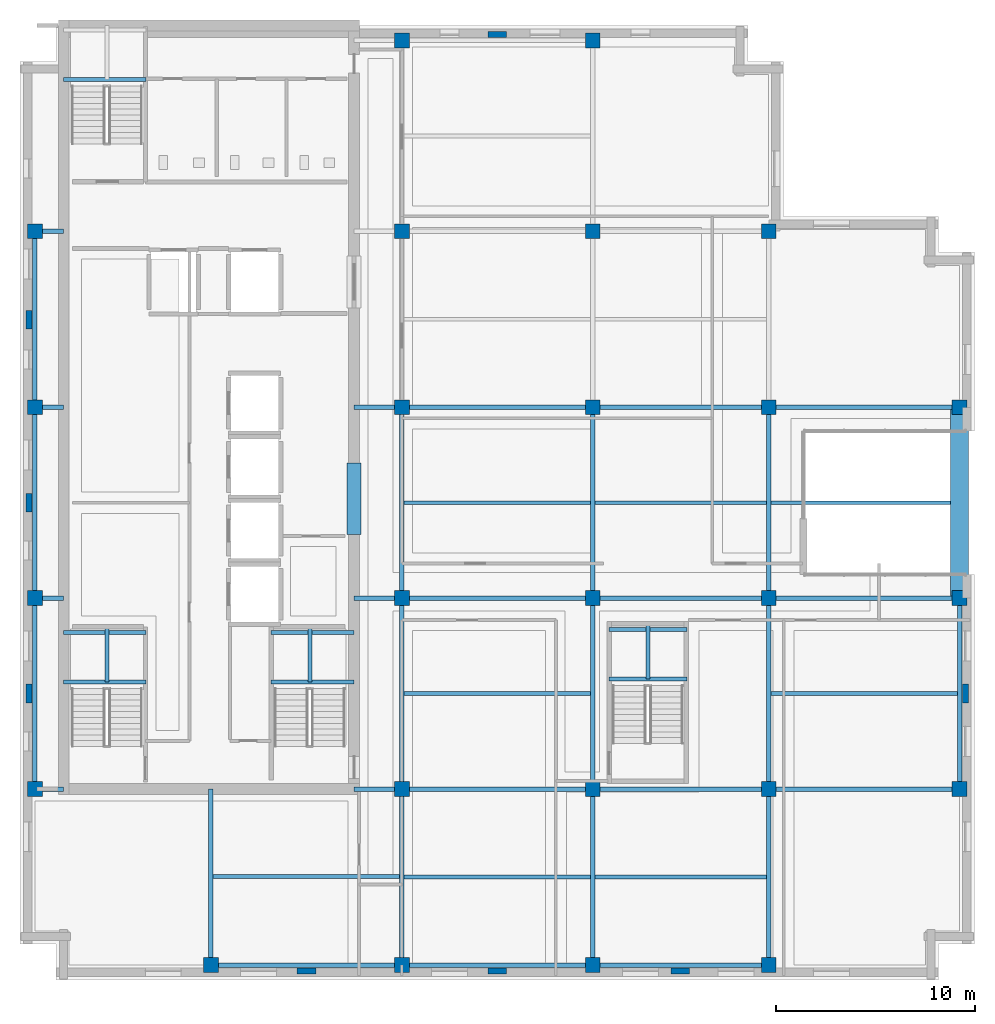
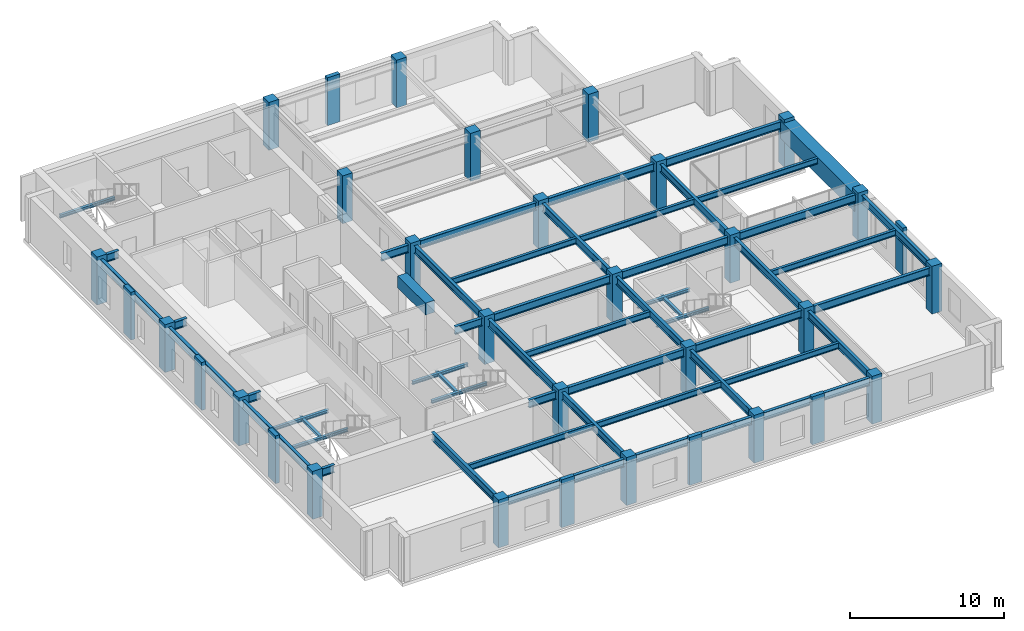
# One storey, part 1 of 11: 53 beams, 33 columns.
"""IFC4 building model written with IfcOpenShell, lengths in metres."""

import ifcopenshell
import ifcopenshell.guid

model = None  # the IFC model being written
_history = None  # IfcOwnerHistory: only IFC2X3 demands one
_inside = {}  # id of a spatial element -> (the spatial element, [elements in it])
_under = {}  # id of a project, library or spatial element -> (it, [spatial elements below it])
_declared = {}  # id of a project -> (the project, [libraries it declares])
_typed = {}  # id of a type object -> (the type object, [elements of that type])
_made_of = {}  # id of a material, layer set ... -> (it, [elements and type objects made of it])


def new_model(schema):
    """Start an empty IFC model of exactly this schema.

    Asked for "IFC4X3", IfcOpenShell would pick the latest addendum, in which some entities
    have other attributes; the version numbers below select the first issue.
    IFC2X3 requires an IfcOwnerHistory on every rooted entity: one is made here for all.
    """
    global model, _history
    if schema == "IFC4X3":
        model = ifcopenshell.file(schema_version=(4, 3, 0, 0))
    else:
        model = ifcopenshell.file(schema=schema)
    _inside.clear()
    _under.clear()
    _declared.clear()
    _typed.clear()
    _made_of.clear()
    _history = None
    if model.schema == "IFC2X3":
        org = make("IfcOrganization", Name="unknown")
        user = make(
            "IfcPersonAndOrganization",
            ThePerson=make("IfcPerson", FamilyName="unknown"),
            TheOrganization=org,
        )
        app = make(
            "IfcApplication",
            ApplicationDeveloper=org,
            Version="unknown",
            ApplicationFullName="unknown",
            ApplicationIdentifier="unknown",
        )
        _history = make(
            "IfcOwnerHistory",
            OwningUser=user,
            OwningApplication=app,
            ChangeAction="ADDED",
            CreationDate=0,
        )
    return model


def make(cls, **values):
    """One entity of the class cls with the attributes given. An attribute that is None is left unset."""
    return model.create_entity(
        cls, **{name: value for name, value in values.items() if value is not None}
    )


def rooted(cls, **values):
    """An entity with a GlobalId (a new one), such as an element, a storey or a relation."""
    return make(cls, GlobalId=ifcopenshell.guid.new(), OwnerHistory=_history, **values)


def si_unit(unit_type, name, prefix=None):
    """IfcSIUnit, for example si_unit("LENGTHUNIT", "METRE", prefix="MILLI")."""
    return make("IfcSIUnit", UnitType=unit_type, Prefix=prefix, Name=name)


def assignment(units):
    """IfcUnitAssignment: the units of a project."""
    return None if units is None else make("IfcUnitAssignment", Units=units)


def point(xyz):
    """IfcCartesianPoint."""
    return None if xyz is None else make("IfcCartesianPoint", Coordinates=xyz)


def direction(xyz):
    """IfcDirection."""
    return None if xyz is None else make("IfcDirection", DirectionRatios=xyz)


def frame(location, z_axis=None, x_axis=None):
    """IfcAxis2Placement3D, a coordinate frame: its origin and axes. An axis left out is left unset."""
    return make(
        "IfcAxis2Placement3D",
        Location=point(location),
        Axis=direction(z_axis),
        RefDirection=direction(x_axis),
    )


def frame_2d(location, x_axis=None):
    """IfcAxis2Placement2D, a coordinate frame in the plane: its origin and x axis."""
    return make(
        "IfcAxis2Placement2D", Location=point(location), RefDirection=direction(x_axis)
    )


def origin():
    """The frame at (0, 0, 0) with its axes left unset."""
    return frame((0.0, 0.0, 0.0))


def origin_2d():
    """The frame at (0, 0) in the plane with its x axis left unset."""
    return frame_2d((0.0, 0.0))


def place(relative_to, where):
    """IfcLocalPlacement: puts the frame where relative to a parent placement (None: the world)."""
    return make(
        "IfcLocalPlacement", PlacementRelTo=relative_to, RelativePlacement=where
    )


def context(
    kind, dimensions, precision=None, world=None, true_north=None, identifier=None
):
    """IfcGeometricRepresentationContext, for example the 3D "Model" context."""
    return make(
        "IfcGeometricRepresentationContext",
        ContextIdentifier=identifier,
        ContextType=kind,
        CoordinateSpaceDimension=dimensions,
        Precision=precision,
        WorldCoordinateSystem=world,
        TrueNorth=true_north,
    )


def subcontext(parent, identifier, kind, view, scale=None):
    """IfcGeometricRepresentationSubContext, for example "Body" below "Model"."""
    return make(
        "IfcGeometricRepresentationSubContext",
        ContextIdentifier=identifier,
        ContextType=kind,
        ParentContext=parent,
        TargetScale=scale,
        TargetView=view,
    )


def project(units=None, contexts=None):
    """IfcProject with its units and contexts."""
    return rooted(
        "IfcProject",
        Name="project",
        RepresentationContexts=contexts,
        UnitsInContext=assignment(units),
    )


def spatial(cls, under=None, at=None, **own):
    """A site, building, storey or space (cls), placed at a placement, below another one or the project."""
    s = rooted(cls, ObjectPlacement=at, **own)
    if under is not None:
        _under.setdefault(under.id(), (under, []))[1].append(s)
    return s


def profile(cls, at=None, kind="AREA", **sizes):
    """A parametric profile (cls). Its sizes go by their IFC names, for example OverallWidth=200.0."""
    return make(cls, ProfileType=kind, Position=at, **sizes)


def rectangle(**sizes):
    """IfcRectangleProfileDef."""
    return profile("IfcRectangleProfileDef", **sizes)


def i_section(**sizes):
    """IfcIShapeProfileDef."""
    return profile("IfcIShapeProfileDef", **sizes)


def extrude(swept, where, along, depth):
    """IfcExtrudedAreaSolid: the profile swept, set in the frame where, extruded along a direction by depth."""
    return make(
        "IfcExtrudedAreaSolid",
        SweptArea=swept,
        Position=where,
        ExtrudedDirection=direction(along),
        Depth=depth,
    )


def shape(context_of_items, identifier, shape_type, items):
    """IfcShapeRepresentation: the items that make up one representation, for example the "Body"."""
    return make(
        "IfcShapeRepresentation",
        ContextOfItems=context_of_items,
        RepresentationIdentifier=identifier,
        RepresentationType=shape_type,
        Items=items,
    )


def material(Name=None, Category=None):
    """IfcMaterial."""
    return make("IfcMaterial", Name=Name, Category=Category)


def material_profile(
    of_material, cross_section, Name=None, Category=None, Priority=None
):
    """IfcMaterialProfile: a cross section and its material."""
    return make(
        "IfcMaterialProfile",
        Name=Name,
        Material=of_material,
        Profile=cross_section,
        Priority=Priority,
        Category=Category,
    )


def profile_set(profiles, Name=None, composite=None):
    """IfcMaterialProfileSet."""
    return make(
        "IfcMaterialProfileSet",
        Name=Name,
        MaterialProfiles=profiles,
        CompositeProfile=composite,
    )


def made_of(thing, what):
    """Note that an element or type object is made of a material, layer set ...; save() writes the relation."""
    if what is not None:
        _made_of.setdefault(what.id(), (what, []))[1].append(thing)
    return thing


def type_object(cls, material=None, **own):
    """A type object (cls), such as IfcWallType, which elements share."""
    return made_of(rooted(cls, **own), material)


def element(
    cls,
    number,
    at=None,
    inside=None,
    cuts=None,
    type_object=None,
    material=None,
    context=None,
    identifier="Body",
    shape_type=None,
    held_by="IfcProductDefinitionShape",
    body=None,
    shapes=None,
    **own,
):
    """One element of the class cls, such as IfcWall. Its Tag is "e" and its number.

    at: its placement. inside: the storey or other place that contains it. cuts: it is an
    opening in that element (IfcRelVoidsElement). A single representation is given by context,
    identifier, shape_type and body (its items); several are given by shapes. held_by: the class
    of the entity that holds the representations. save() writes the other relations.
    """
    e = rooted(cls, Tag="e%d" % number, ObjectPlacement=at, **own)
    if body is not None:
        shapes = [shape(context, identifier, shape_type, body)]
    if shapes is not None:
        e.Representation = make(held_by, Representations=shapes)
    if inside is not None:
        _inside.setdefault(inside.id(), (inside, []))[1].append(e)
    if cuts is not None:
        rooted(
            "IfcRelVoidsElement", RelatingBuildingElement=cuts, RelatedOpeningElement=e
        )
    if type_object is not None:
        _typed.setdefault(type_object.id(), (type_object, []))[1].append(e)
    return made_of(e, material)


def aggregate(whole, parts):
    """IfcRelAggregates: a whole, such as a stair, and the parts it consists of."""
    return rooted("IfcRelAggregates", RelatingObject=whole, RelatedObjects=parts)


def save(model, path):
    """Write the relations noted so far, then the file.

    IfcRelAggregates (storeys below a building ...), IfcRelContainedInSpatialStructure (elements
    in a storey), IfcRelDefinesByType, IfcRelAssociatesMaterial and IfcRelDeclares: one each for
    every whole, place, type object, material and project.
    """
    for whole, parts in _under.values():
        aggregate(whole, parts)
    for where, things in _inside.values():
        rooted(
            "IfcRelContainedInSpatialStructure",
            RelatedElements=things,
            RelatingStructure=where,
        )
    for kind, things in _typed.values():
        rooted("IfcRelDefinesByType", RelatedObjects=things, RelatingType=kind)
    for what, things in _made_of.values():
        rooted("IfcRelAssociatesMaterial", RelatedObjects=things, RelatingMaterial=what)
    for by, libraries in _declared.values():
        rooted("IfcRelDeclares", RelatingContext=by, RelatedDefinitions=libraries)
    model.write(path)


model = new_model("IFC4")

# Units and contexts
model_context = context("Model", 3, precision=1e-05, world=origin(), true_north=direction((0.0, 1.0)))
body_context = subcontext(model_context, "Body", "Model", "MODEL_VIEW")
ifc_project = project(units=[si_unit("LENGTHUNIT", "METRE"), si_unit("AREAUNIT", "SQUARE_METRE"), si_unit("VOLUMEUNIT", "CUBIC_METRE"), si_unit("PLANEANGLEUNIT", "RADIAN"), si_unit("MASSUNIT", "GRAM", prefix="KILO")], contexts=[model_context])

# Site, building, storey
site_placement = place(None, origin())
site = spatial("IfcSite", under=ifc_project, at=site_placement, CompositionType="ELEMENT")
building_placement = place(site_placement, origin())
building = spatial("IfcBuilding", under=site, at=building_placement, Name="Norrvale University Quadrangle", CompositionType="ELEMENT")
storey_placement = place(building_placement, frame((0.0, 0.0, 281.0)))
storey = spatial("IfcBuildingStorey", under=building, at=storey_placement, Name="L71", CompositionType="ELEMENT", Elevation=281.0)

# Columns
ifc_material_1 = material(Name="Red Manganese Brick Concrete C60/75", Category="concrete")
ifc_material_profile_1 = material_profile(ifc_material_1, rectangle(XDim=0.949951171875, YDim=0.300048828125, at=origin_2d()), Name="Red Manganese Brick Concrete C60/75")
ifc_profile_set_1 = profile_set([ifc_material_profile_1], Name="Red Manganese Brick Concrete C60/75")
column_type_1 = type_object("IfcColumnType", Name="Column Brick Pier 950x300", PredefinedType="PILASTER", material=ifc_profile_set_1)
for number, where, z_axis, x_axis, name in (
    (1, (0.449951171875, 14.39990234375, 0.0), (0.0, 0.0, 1.0), (0.0, 1.0, 0.0), "Exterior Brick Facade Pilaster L71-01"),
    (2, (0.449951171875, 24.0, 0.0), (0.0, 0.0, 1.0), (0.0, 1.0, 0.0), "Exterior Brick Facade Pilaster L71-02"),
    (3, (0.449951171875, 33.199951171875, 0.0), (0.0, 0.0, 1.0), (0.0, 1.0, 0.0), "Exterior Brick Facade Pilaster L71-03"),
    (4, (14.39990234375, 0.449951171875, 0.0), (0.0, 0.0, 1.0), (1.0, 0.0, 0.0), "Exterior Brick Facade Pilaster L71-04"),
    (5, (24.0, 0.449951171875, 0.0), (0.0, 0.0, 1.0), (1.0, 0.0, 0.0), "Exterior Brick Facade Pilaster L71-05"),
    (6, (33.199951171875, 0.449951171875, 0.0), (0.0, 0.0, 1.0), (1.0, 0.0, 0.0), "Exterior Brick Facade Pilaster L71-06"),
    (7, (47.550048828125, 14.39990234375, 0.0), (0.0, 0.0, 1.0), (0.0, 1.0, 0.0), "Exterior Brick Facade Pilaster L71-07"),
    (8, (24.0, 47.550048828125, 0.0), (0.0, 0.0, 1.0), (1.0, 0.0, 0.0), "Exterior Brick Facade Pilaster L71-08"),
):
    element("IfcColumn", number, at=place(storey_placement, frame(where, z_axis=z_axis, x_axis=x_axis)), inside=storey, type_object=column_type_1, Name=name, PredefinedType="PILASTER", context=body_context, shape_type="SweptSolid", body=[
        extrude(rectangle(XDim=0.949951171875, YDim=0.300048828125, at=origin_2d()), origin(), (0.0, 0.0, 1.0), 3.800048828125),
    ])
ifc_material_2 = material(Name="Concrete C60/75", Category="concrete")
ifc_material_profile_2 = material_profile(ifc_material_2, rectangle(XDim=0.75, YDim=0.75, at=origin_2d()), Name="Concrete C60/75")
ifc_profile_set_2 = profile_set([ifc_material_profile_2], Name="Concrete C60/75")
column_type_2 = type_object("IfcColumnType", Name="Column Tower Z4 750x750", PredefinedType="COLUMN", material=ifc_profile_set_2)
for number, where, z_axis, x_axis, name in (
    (9, (0.75, 9.60009765625, 0.0), (0.0, 0.0, 1.0), (1.0, 0.0, 0.0), "Tower Column L71-T01"),
    (10, (0.75, 19.199951171875, 0.0), (0.0, 0.0, 1.0), (1.0, 0.0, 0.0), "Tower Column L71-T02"),
    (11, (0.75, 28.800048828125, 0.0), (0.0, 0.0, 1.0), (1.0, 0.0, 0.0), "Tower Column L71-T03"),
    (12, (0.75, 37.64990234375, 0.0), (0.0, 0.0, 1.0), (1.0, 0.0, 0.0), "Tower Column L71-T04"),
    (13, (9.60009765625, 0.75, 0.0), (0.0, 0.0, 1.0), (1.0, 0.0, 0.0), "Tower Column L71-T05"),
    (14, (19.199951171875, 0.75, 0.0), (0.0, 0.0, 1.0), (1.0, 0.0, 0.0), "Tower Column L71-T06"),
    (15, (19.199951171875, 9.60009765625, 0.0), (0.0, 0.0, 1.0), (1.0, 0.0, 0.0), "Tower Column L71-T07"),
    (16, (19.199951171875, 19.199951171875, 0.0), (0.0, 0.0, 1.0), (1.0, 0.0, 0.0), "Tower Column L71-T08"),
    (17, (19.199951171875, 28.800048828125, 0.0), (0.0, 0.0, 1.0), (1.0, 0.0, 0.0), "Tower Column L71-T09"),
    (18, (19.199951171875, 37.64990234375, 0.0), (0.0, 0.0, 1.0), (1.0, 0.0, 0.0), "Tower Column L71-T10"),
    (19, (19.199951171875, 47.25, 0.0), (0.0, 0.0, 1.0), (1.0, 0.0, 0.0), "Tower Column L71-T11"),
    (20, (28.800048828125, 0.75, 0.0), (0.0, 0.0, 1.0), (1.0, 0.0, 0.0), "Tower Column L71-T12"),
    (21, (28.800048828125, 9.60009765625, 0.0), (0.0, 0.0, 1.0), (1.0, 0.0, 0.0), "Tower Column L71-T13"),
    (22, (28.800048828125, 19.199951171875, 0.0), (0.0, 0.0, 1.0), (1.0, 0.0, 0.0), "Tower Column L71-T14"),
    (23, (28.800048828125, 28.800048828125, 0.0), (0.0, 0.0, 1.0), (1.0, 0.0, 0.0), "Tower Column L71-T15"),
    (24, (28.800048828125, 37.64990234375, 0.0), (0.0, 0.0, 1.0), (1.0, 0.0, 0.0), "Tower Column L71-T16"),
    (25, (28.800048828125, 47.25, 0.0), (0.0, 0.0, 1.0), (1.0, 0.0, 0.0), "Tower Column L71-T17"),
    (26, (37.64990234375, 0.75, 0.0), (0.0, 0.0, 1.0), (1.0, 0.0, 0.0), "Tower Column L71-T18"),
    (27, (37.64990234375, 9.60009765625, 0.0), (0.0, 0.0, 1.0), (1.0, 0.0, 0.0), "Tower Column L71-T19"),
    (28, (37.64990234375, 19.199951171875, 0.0), (0.0, 0.0, 1.0), (1.0, 0.0, 0.0), "Tower Column L71-T20"),
    (29, (37.64990234375, 28.800048828125, 0.0), (0.0, 0.0, 1.0), (1.0, 0.0, 0.0), "Tower Column L71-T21"),
    (30, (37.64990234375, 37.64990234375, 0.0), (0.0, 0.0, 1.0), (1.0, 0.0, 0.0), "Tower Column L71-T22"),
    (31, (47.25, 9.60009765625, 0.0), (0.0, 0.0, 1.0), (1.0, 0.0, 0.0), "Tower Column L71-T23"),
    (32, (47.25, 19.199951171875, 0.0), (0.0, 0.0, 1.0), (1.0, 0.0, 0.0), "Tower Column L71-T24"),
    (33, (47.25, 28.800048828125, 0.0), (0.0, 0.0, 1.0), (1.0, 0.0, 0.0), "Tower Column L71-T25"),
):
    element("IfcColumn", number, at=place(storey_placement, frame(where, z_axis=z_axis, x_axis=x_axis)), inside=storey, type_object=column_type_2, Name=name, PredefinedType="COLUMN", context=body_context, shape_type="SweptSolid", body=[
        extrude(rectangle(XDim=0.75, YDim=0.75, at=origin_2d()), origin(), (0.0, 0.0, 1.0), 3.800048828125),
    ])

# Beams
ifc_material_3 = material(Name="Concrete C80/95", Category="concrete")
ifc_material_profile_3 = material_profile(ifc_material_3, rectangle(XDim=0.699951171875, YDim=0.949951171875, at=origin_2d()), Name="Concrete C80/95")
ifc_profile_set_3 = profile_set([ifc_material_profile_3], Name="Concrete C80/95")
beam_type_1 = type_object("IfcBeamType", Name="Beam Core Link 700x950", PredefinedType="LINTEL", material=ifc_profile_set_3)
beam_1_placement = place(storey_placement, frame((16.800048828125, 22.39990234375, 3.06494140625), z_axis=(0.0, 1.0, 0.0), x_axis=(-1.0, 0.0, 0.0)))
element("IfcBeam", 34, at=beam_1_placement, inside=storey, type_object=beam_type_1, Name="Core Coupling Lintel Beam L71-1", PredefinedType="LINTEL", context=body_context, shape_type="SweptSolid", body=[
    extrude(rectangle(XDim=0.699951171875, YDim=0.949951171875, at=origin_2d()), origin(), (0.0, 0.0, 1.0), 3.60009765625),
])
ifc_material_4 = material(Name="Steel 350W", Category="steel")
ifc_material_profile_4 = material_profile(ifc_material_4, i_section(OverallWidth=0.194091796875, OverallDepth=0.468994140625, WebThickness=0.0126953125, FlangeThickness=0.0205078125, FilletRadius=0.012939453125, at=origin_2d()), Name="Steel 350W")
ifc_profile_set_4 = profile_set([ifc_material_profile_4], Name="Steel 350W")
beam_type_2 = type_object("IfcBeamType", Name="Beam Floor W460x106", PredefinedType="BEAM", material=ifc_profile_set_4)
for number, where, z_axis, x_axis, name in (
    (35, (19.31494140625, 5.175048828125, 3.305419921875), (1.0, 0.0, 0.0), (0.0, 1.0, 0.0), "Beam Floor W460x106 BM-L71-J043"),
    (36, (19.31494140625, 14.39990234375, 3.305419921875), (1.0, 0.0, 0.0), (0.0, 1.0, 0.0), "Beam Floor W460x106 BM-L71-J044"),
    (37, (19.31494140625, 24.0, 3.305419921875), (1.0, 0.0, 0.0), (0.0, 1.0, 0.0), "Beam Floor W460x106 BM-L71-J045"),
):
    element("IfcBeam", number, at=place(storey_placement, frame(where, z_axis=z_axis, x_axis=x_axis)), inside=storey, type_object=beam_type_2, Name=name, PredefinedType="BEAM", context=body_context, shape_type="SweptSolid", body=[
        extrude(i_section(OverallWidth=0.194091796875, OverallDepth=0.468994140625, WebThickness=0.0126953125, FlangeThickness=0.0205078125, FilletRadius=0.012939453125, at=origin_2d()), origin(), (0.0, 0.0, 1.0), 9.3701171875),
    ])
for number, where, z_axis, x_axis, name in (
    (38, (28.9150390625, 5.175048828125, 3.305419921875), (1.0, 0.0, 0.0), (0.0, 1.0, 0.0), "Beam Floor W460x106 BM-L71-J048"),
    (39, (28.9150390625, 24.0, 3.305419921875), (1.0, 0.0, 0.0), (0.0, 1.0, 0.0), "Beam Floor W460x106 BM-L71-J049"),
):
    element("IfcBeam", number, at=place(storey_placement, frame(where, z_axis=z_axis, x_axis=x_axis)), inside=storey, type_object=beam_type_2, Name=name, PredefinedType="BEAM", context=body_context, shape_type="SweptSolid", body=[
        extrude(i_section(OverallWidth=0.194091796875, OverallDepth=0.468994140625, WebThickness=0.0126953125, FlangeThickness=0.0205078125, FilletRadius=0.012939453125, at=origin_2d()), origin(), (0.0, 0.0, 1.0), 8.619873046875),
    ])
beam_2_placement = place(storey_placement, frame((37.764892578125, 14.39990234375, 3.305419921875), z_axis=(1.0, 0.0, 0.0), x_axis=(0.0, 1.0, 0.0)))
element("IfcBeam", 40, at=beam_2_placement, inside=storey, type_object=beam_type_2, Name="Beam Floor W460x106 BM-L71-J051", PredefinedType="BEAM", context=body_context, shape_type="SweptSolid", body=[
    extrude(i_section(OverallWidth=0.194091796875, OverallDepth=0.468994140625, WebThickness=0.0126953125, FlangeThickness=0.0205078125, FilletRadius=0.012939453125, at=origin_2d()), origin(), (0.0, 0.0, 1.0), 9.3701171875),
])
beam_3_placement = place(storey_placement, frame((37.764892578125, 24.0, 3.305419921875), z_axis=(1.0, 0.0, 0.0), x_axis=(0.0, 1.0, 0.0)))
element("IfcBeam", 41, at=beam_3_placement, inside=storey, type_object=beam_type_2, Name="Beam Floor W460x106 BM-L71-J052", PredefinedType="BEAM", context=body_context, shape_type="SweptSolid", body=[
    extrude(i_section(OverallWidth=0.194091796875, OverallDepth=0.468994140625, WebThickness=0.0126953125, FlangeThickness=0.0205078125, FilletRadius=0.012939453125, at=origin_2d()), origin(), (0.0, 0.0, 1.0), 9.03515625),
])
beam_4_placement = place(storey_placement, frame((9.715087890625, 5.199951171875, 3.305419921875), z_axis=(1.0, 0.0, 0.0), x_axis=(0.0, 1.0, 0.0)))
element("IfcBeam", 42, at=beam_4_placement, inside=storey, type_object=beam_type_2, Name="Beam Floor W460x106 BM-L71-JCS054", PredefinedType="BEAM", context=body_context, shape_type="SweptSolid", body=[
    extrude(i_section(OverallWidth=0.194091796875, OverallDepth=0.468994140625, WebThickness=0.0126953125, FlangeThickness=0.0205078125, FilletRadius=0.012939453125, at=origin_2d()), origin(), (0.0, 0.0, 1.0), 9.369873046875),
])
ifc_material_profile_5 = material_profile(ifc_material_4, i_section(OverallWidth=0.22998046875, OverallDepth=0.616943359375, WebThickness=0.01318359375, FlangeThickness=0.022216796875, FilletRadius=0.01611328125, at=origin_2d()), Name="Steel 350W")
ifc_profile_set_5 = profile_set([ifc_material_profile_5], Name="Steel 350W")
beam_type_3 = type_object("IfcBeamType", Name="Beam Floor W610x140", PredefinedType="BEAM", material=ifc_profile_set_5)
beam_5_placement = place(storey_placement, frame((9.60009765625, 0.75, 3.2314453125), z_axis=(1.0, 0.0, 0.0), x_axis=(0.0, 1.0, 0.0)))
element("IfcBeam", 43, at=beam_5_placement, inside=storey, type_object=beam_type_3, Name="Beam Floor W610x140 BM-L71-GX001", PredefinedType="BEAM", context=body_context, shape_type="SweptSolid", body=[
    extrude(i_section(OverallWidth=0.22998046875, OverallDepth=0.616943359375, WebThickness=0.01318359375, FlangeThickness=0.022216796875, FilletRadius=0.01611328125, at=origin_2d()), origin(), (0.0, 0.0, 1.0), 9.599853515625),
])
beam_6_placement = place(storey_placement, frame((19.199951171875, 0.75, 3.2314453125), z_axis=(1.0, 0.0, 0.0), x_axis=(0.0, 1.0, 0.0)))
element("IfcBeam", 44, at=beam_6_placement, inside=storey, type_object=beam_type_3, Name="Beam Floor W610x140 BM-L71-GX002", PredefinedType="BEAM", context=body_context, shape_type="SweptSolid", body=[
    extrude(i_section(OverallWidth=0.22998046875, OverallDepth=0.616943359375, WebThickness=0.01318359375, FlangeThickness=0.022216796875, FilletRadius=0.01611328125, at=origin_2d()), origin(), (0.0, 0.0, 1.0), 9.60009765625),
])
beam_7_placement = place(storey_placement, frame((28.800048828125, 0.75, 3.2314453125), z_axis=(1.0, 0.0, 0.0), x_axis=(0.0, 1.0, 0.0)))
element("IfcBeam", 45, at=beam_7_placement, inside=storey, type_object=beam_type_3, Name="Beam Floor W610x140 BM-L71-GX003", PredefinedType="BEAM", context=body_context, shape_type="SweptSolid", body=[
    extrude(i_section(OverallWidth=0.22998046875, OverallDepth=0.616943359375, WebThickness=0.01318359375, FlangeThickness=0.022216796875, FilletRadius=0.01611328125, at=origin_2d()), origin(), (0.0, 0.0, 1.0), 8.849853515625),
])
beam_8_placement = place(storey_placement, frame((19.199951171875, 9.60009765625, 3.2314453125), z_axis=(1.0, 0.0, 0.0), x_axis=(0.0, 1.0, 0.0)))
element("IfcBeam", 46, at=beam_8_placement, inside=storey, type_object=beam_type_3, Name="Beam Floor W610x140 BM-L71-GX004", PredefinedType="BEAM", context=body_context, shape_type="SweptSolid", body=[
    extrude(i_section(OverallWidth=0.22998046875, OverallDepth=0.616943359375, WebThickness=0.01318359375, FlangeThickness=0.022216796875, FilletRadius=0.01611328125, at=origin_2d()), origin(), (0.0, 0.0, 1.0), 9.60009765625),
])
beam_9_placement = place(storey_placement, frame((28.800048828125, 9.60009765625, 3.2314453125), z_axis=(1.0, 0.0, 0.0), x_axis=(0.0, 1.0, 0.0)))
element("IfcBeam", 47, at=beam_9_placement, inside=storey, type_object=beam_type_3, Name="Beam Floor W610x140 BM-L71-GX005", PredefinedType="BEAM", context=body_context, shape_type="SweptSolid", body=[
    extrude(i_section(OverallWidth=0.22998046875, OverallDepth=0.616943359375, WebThickness=0.01318359375, FlangeThickness=0.022216796875, FilletRadius=0.01611328125, at=origin_2d()), origin(), (0.0, 0.0, 1.0), 8.849853515625),
])
for number, where, z_axis, x_axis, name in (
    (48, (37.64990234375, 9.60009765625, 3.2314453125), (1.0, 0.0, 0.0), (0.0, 1.0, 0.0), "Beam Floor W610x140 BM-L71-GX006"),
    (49, (19.199951171875, 19.199951171875, 3.2314453125), (1.0, 0.0, 0.0), (0.0, 1.0, 0.0), "Beam Floor W610x140 BM-L71-GX007"),
):
    element("IfcBeam", number, at=place(storey_placement, frame(where, z_axis=z_axis, x_axis=x_axis)), inside=storey, type_object=beam_type_3, Name=name, PredefinedType="BEAM", context=body_context, shape_type="SweptSolid", body=[
        extrude(i_section(OverallWidth=0.22998046875, OverallDepth=0.616943359375, WebThickness=0.01318359375, FlangeThickness=0.022216796875, FilletRadius=0.01611328125, at=origin_2d()), origin(), (0.0, 0.0, 1.0), 9.60009765625),
    ])
beam_10_placement = place(storey_placement, frame((28.800048828125, 19.199951171875, 3.2314453125), z_axis=(1.0, 0.0, 0.0), x_axis=(0.0, 1.0, 0.0)))
element("IfcBeam", 50, at=beam_10_placement, inside=storey, type_object=beam_type_3, Name="Beam Floor W610x140 BM-L71-GX008", PredefinedType="BEAM", context=body_context, shape_type="SweptSolid", body=[
    extrude(i_section(OverallWidth=0.22998046875, OverallDepth=0.616943359375, WebThickness=0.01318359375, FlangeThickness=0.022216796875, FilletRadius=0.01611328125, at=origin_2d()), origin(), (0.0, 0.0, 1.0), 8.849853515625),
])
for number, where, z_axis, x_axis, name in (
    (51, (37.64990234375, 19.199951171875, 3.2314453125), (1.0, 0.0, 0.0), (0.0, 1.0, 0.0), "Beam Floor W610x140 BM-L71-GX009"),
    (52, (19.199951171875, 28.800048828125, 3.2314453125), (1.0, 0.0, 0.0), (0.0, 1.0, 0.0), "Beam Floor W610x140 BM-L71-GX010"),
):
    element("IfcBeam", number, at=place(storey_placement, frame(where, z_axis=z_axis, x_axis=x_axis)), inside=storey, type_object=beam_type_3, Name=name, PredefinedType="BEAM", context=body_context, shape_type="SweptSolid", body=[
        extrude(i_section(OverallWidth=0.22998046875, OverallDepth=0.616943359375, WebThickness=0.01318359375, FlangeThickness=0.022216796875, FilletRadius=0.01611328125, at=origin_2d()), origin(), (0.0, 0.0, 1.0), 9.60009765625),
    ])
beam_11_placement = place(storey_placement, frame((28.800048828125, 28.800048828125, 3.2314453125), z_axis=(1.0, 0.0, 0.0), x_axis=(0.0, 1.0, 0.0)))
element("IfcBeam", 53, at=beam_11_placement, inside=storey, type_object=beam_type_3, Name="Beam Floor W610x140 BM-L71-GX011", PredefinedType="BEAM", context=body_context, shape_type="SweptSolid", body=[
    extrude(i_section(OverallWidth=0.22998046875, OverallDepth=0.616943359375, WebThickness=0.01318359375, FlangeThickness=0.022216796875, FilletRadius=0.01611328125, at=origin_2d()), origin(), (0.0, 0.0, 1.0), 8.849853515625),
])
beam_12_placement = place(storey_placement, frame((37.64990234375, 28.800048828125, 3.2314453125), z_axis=(1.0, 0.0, 0.0), x_axis=(0.0, 1.0, 0.0)))
element("IfcBeam", 54, at=beam_12_placement, inside=storey, type_object=beam_type_3, Name="Beam Floor W610x140 BM-L71-GX012", PredefinedType="BEAM", context=body_context, shape_type="SweptSolid", body=[
    extrude(i_section(OverallWidth=0.22998046875, OverallDepth=0.616943359375, WebThickness=0.01318359375, FlangeThickness=0.022216796875, FilletRadius=0.01611328125, at=origin_2d()), origin(), (0.0, 0.0, 1.0), 9.60009765625),
])
beam_13_placement = place(storey_placement, frame((0.75, 9.60009765625, 3.2314453125), z_axis=(0.0, 1.0, 0.0), x_axis=(-1.0, 0.0, 0.0)))
element("IfcBeam", 55, at=beam_13_placement, inside=storey, type_object=beam_type_3, Name="Beam Floor W610x140 BM-L71-GY016", PredefinedType="BEAM", context=body_context, shape_type="SweptSolid", body=[
    extrude(i_section(OverallWidth=0.22998046875, OverallDepth=0.616943359375, WebThickness=0.01318359375, FlangeThickness=0.022216796875, FilletRadius=0.01611328125, at=origin_2d()), origin(), (0.0, 0.0, 1.0), 9.599853515625),
])
beam_14_placement = place(storey_placement, frame((0.75, 19.199951171875, 3.2314453125), z_axis=(0.0, 1.0, 0.0), x_axis=(-1.0, 0.0, 0.0)))
element("IfcBeam", 56, at=beam_14_placement, inside=storey, type_object=beam_type_3, Name="Beam Floor W610x140 BM-L71-GY017", PredefinedType="BEAM", context=body_context, shape_type="SweptSolid", body=[
    extrude(i_section(OverallWidth=0.22998046875, OverallDepth=0.616943359375, WebThickness=0.01318359375, FlangeThickness=0.022216796875, FilletRadius=0.01611328125, at=origin_2d()), origin(), (0.0, 0.0, 1.0), 9.60009765625),
])
beam_15_placement = place(storey_placement, frame((0.75, 28.800048828125, 3.2314453125), z_axis=(0.0, 1.0, 0.0), x_axis=(-1.0, 0.0, 0.0)))
element("IfcBeam", 57, at=beam_15_placement, inside=storey, type_object=beam_type_3, Name="Beam Floor W610x140 BM-L71-GY018", PredefinedType="BEAM", context=body_context, shape_type="SweptSolid", body=[
    extrude(i_section(OverallWidth=0.22998046875, OverallDepth=0.616943359375, WebThickness=0.01318359375, FlangeThickness=0.022216796875, FilletRadius=0.01611328125, at=origin_2d()), origin(), (0.0, 0.0, 1.0), 8.849853515625),
])
beam_16_placement = place(storey_placement, frame((19.199951171875, 0.75, 3.2314453125), z_axis=(0.0, 1.0, 0.0), x_axis=(-1.0, 0.0, 0.0)))
element("IfcBeam", 58, at=beam_16_placement, inside=storey, type_object=beam_type_3, Name="Beam Floor W610x140 BM-L71-GY019", PredefinedType="BEAM", context=body_context, shape_type="SweptSolid", body=[
    extrude(i_section(OverallWidth=0.22998046875, OverallDepth=0.616943359375, WebThickness=0.01318359375, FlangeThickness=0.022216796875, FilletRadius=0.01611328125, at=origin_2d()), origin(), (0.0, 0.0, 1.0), 8.85009765625),
])
beam_17_placement = place(storey_placement, frame((19.199951171875, 9.60009765625, 3.2314453125), z_axis=(0.0, 1.0, 0.0), x_axis=(-1.0, 0.0, 0.0)))
element("IfcBeam", 59, at=beam_17_placement, inside=storey, type_object=beam_type_3, Name="Beam Floor W610x140 BM-L71-GY020", PredefinedType="BEAM", context=body_context, shape_type="SweptSolid", body=[
    extrude(i_section(OverallWidth=0.22998046875, OverallDepth=0.616943359375, WebThickness=0.01318359375, FlangeThickness=0.022216796875, FilletRadius=0.01611328125, at=origin_2d()), origin(), (0.0, 0.0, 1.0), 9.599853515625),
])
beam_18_placement = place(storey_placement, frame((19.199951171875, 19.199951171875, 3.2314453125), z_axis=(0.0, 1.0, 0.0), x_axis=(-1.0, 0.0, 0.0)))
element("IfcBeam", 60, at=beam_18_placement, inside=storey, type_object=beam_type_3, Name="Beam Floor W610x140 BM-L71-GY021", PredefinedType="BEAM", context=body_context, shape_type="SweptSolid", body=[
    extrude(i_section(OverallWidth=0.22998046875, OverallDepth=0.616943359375, WebThickness=0.01318359375, FlangeThickness=0.022216796875, FilletRadius=0.01611328125, at=origin_2d()), origin(), (0.0, 0.0, 1.0), 9.60009765625),
])
beam_19_placement = place(storey_placement, frame((28.800048828125, 0.75, 3.2314453125), z_axis=(0.0, 1.0, 0.0), x_axis=(-1.0, 0.0, 0.0)))
element("IfcBeam", 61, at=beam_19_placement, inside=storey, type_object=beam_type_3, Name="Beam Floor W610x140 BM-L71-GY024", PredefinedType="BEAM", context=body_context, shape_type="SweptSolid", body=[
    extrude(i_section(OverallWidth=0.22998046875, OverallDepth=0.616943359375, WebThickness=0.01318359375, FlangeThickness=0.022216796875, FilletRadius=0.01611328125, at=origin_2d()), origin(), (0.0, 0.0, 1.0), 8.85009765625),
])
beam_20_placement = place(storey_placement, frame((28.800048828125, 9.60009765625, 3.2314453125), z_axis=(0.0, 1.0, 0.0), x_axis=(-1.0, 0.0, 0.0)))
element("IfcBeam", 62, at=beam_20_placement, inside=storey, type_object=beam_type_3, Name="Beam Floor W610x140 BM-L71-GY025", PredefinedType="BEAM", context=body_context, shape_type="SweptSolid", body=[
    extrude(i_section(OverallWidth=0.22998046875, OverallDepth=0.616943359375, WebThickness=0.01318359375, FlangeThickness=0.022216796875, FilletRadius=0.01611328125, at=origin_2d()), origin(), (0.0, 0.0, 1.0), 9.599853515625),
])
beam_21_placement = place(storey_placement, frame((28.800048828125, 19.199951171875, 3.2314453125), z_axis=(0.0, 1.0, 0.0), x_axis=(-1.0, 0.0, 0.0)))
element("IfcBeam", 63, at=beam_21_placement, inside=storey, type_object=beam_type_3, Name="Beam Floor W610x140 BM-L71-GY026", PredefinedType="BEAM", context=body_context, shape_type="SweptSolid", body=[
    extrude(i_section(OverallWidth=0.22998046875, OverallDepth=0.616943359375, WebThickness=0.01318359375, FlangeThickness=0.022216796875, FilletRadius=0.01611328125, at=origin_2d()), origin(), (0.0, 0.0, 1.0), 9.60009765625),
])
beam_22_placement = place(storey_placement, frame((37.64990234375, 0.75, 3.2314453125), z_axis=(0.0, 1.0, 0.0), x_axis=(-1.0, 0.0, 0.0)))
element("IfcBeam", 64, at=beam_22_placement, inside=storey, type_object=beam_type_3, Name="Beam Floor W610x140 BM-L71-GY029", PredefinedType="BEAM", context=body_context, shape_type="SweptSolid", body=[
    extrude(i_section(OverallWidth=0.22998046875, OverallDepth=0.616943359375, WebThickness=0.01318359375, FlangeThickness=0.022216796875, FilletRadius=0.01611328125, at=origin_2d()), origin(), (0.0, 0.0, 1.0), 8.85009765625),
])
beam_23_placement = place(storey_placement, frame((37.64990234375, 9.60009765625, 3.2314453125), z_axis=(0.0, 1.0, 0.0), x_axis=(-1.0, 0.0, 0.0)))
element("IfcBeam", 65, at=beam_23_placement, inside=storey, type_object=beam_type_3, Name="Beam Floor W610x140 BM-L71-GY030", PredefinedType="BEAM", context=body_context, shape_type="SweptSolid", body=[
    extrude(i_section(OverallWidth=0.22998046875, OverallDepth=0.616943359375, WebThickness=0.01318359375, FlangeThickness=0.022216796875, FilletRadius=0.01611328125, at=origin_2d()), origin(), (0.0, 0.0, 1.0), 9.599853515625),
])
beam_24_placement = place(storey_placement, frame((37.64990234375, 19.199951171875, 3.2314453125), z_axis=(0.0, 1.0, 0.0), x_axis=(-1.0, 0.0, 0.0)))
element("IfcBeam", 66, at=beam_24_placement, inside=storey, type_object=beam_type_3, Name="Beam Floor W610x140 BM-L71-GY031", PredefinedType="BEAM", context=body_context, shape_type="SweptSolid", body=[
    extrude(i_section(OverallWidth=0.22998046875, OverallDepth=0.616943359375, WebThickness=0.01318359375, FlangeThickness=0.022216796875, FilletRadius=0.01611328125, at=origin_2d()), origin(), (0.0, 0.0, 1.0), 9.60009765625),
])
beam_25_placement = place(storey_placement, frame((47.25, 9.60009765625, 3.2314453125), z_axis=(0.0, 1.0, 0.0), x_axis=(-1.0, 0.0, 0.0)))
element("IfcBeam", 67, at=beam_25_placement, inside=storey, type_object=beam_type_3, Name="Beam Floor W610x140 BM-L71-GY033", PredefinedType="BEAM", context=body_context, shape_type="SweptSolid", body=[
    extrude(i_section(OverallWidth=0.22998046875, OverallDepth=0.616943359375, WebThickness=0.01318359375, FlangeThickness=0.022216796875, FilletRadius=0.01611328125, at=origin_2d()), origin(), (0.0, 0.0, 1.0), 9.599853515625),
])
beam_26_placement = place(storey_placement, frame((0.75, 9.60009765625, 3.2314453125), z_axis=(1.0, 0.0, 0.0), x_axis=(0.0, 1.0, 0.0)))
element("IfcBeam", 68, at=beam_26_placement, inside=storey, type_object=beam_type_3, Name="Beam Floor W610x140 BM-L71-GCW034", PredefinedType="BEAM", context=body_context, shape_type="SweptSolid", body=[
    extrude(i_section(OverallWidth=0.22998046875, OverallDepth=0.616943359375, WebThickness=0.01318359375, FlangeThickness=0.022216796875, FilletRadius=0.01611328125, at=origin_2d()), origin(), (0.0, 0.0, 1.0), 1.449951171875),
])
beam_27_placement = place(storey_placement, frame((16.800048828125, 9.60009765625, 3.2314453125), z_axis=(1.0, 0.0, 0.0), x_axis=(0.0, 1.0, 0.0)))
element("IfcBeam", 69, at=beam_27_placement, inside=storey, type_object=beam_type_3, Name="Beam Floor W610x140 BM-L71-GCE035", PredefinedType="BEAM", context=body_context, shape_type="SweptSolid", body=[
    extrude(i_section(OverallWidth=0.22998046875, OverallDepth=0.616943359375, WebThickness=0.01318359375, FlangeThickness=0.022216796875, FilletRadius=0.01611328125, at=origin_2d()), origin(), (0.0, 0.0, 1.0), 2.39990234375),
])
beam_28_placement = place(storey_placement, frame((0.75, 19.199951171875, 3.2314453125), z_axis=(1.0, 0.0, 0.0), x_axis=(0.0, 1.0, 0.0)))
element("IfcBeam", 70, at=beam_28_placement, inside=storey, type_object=beam_type_3, Name="Beam Floor W610x140 BM-L71-GCW036", PredefinedType="BEAM", context=body_context, shape_type="SweptSolid", body=[
    extrude(i_section(OverallWidth=0.22998046875, OverallDepth=0.616943359375, WebThickness=0.01318359375, FlangeThickness=0.022216796875, FilletRadius=0.01611328125, at=origin_2d()), origin(), (0.0, 0.0, 1.0), 1.449951171875),
])
beam_29_placement = place(storey_placement, frame((16.800048828125, 19.199951171875, 3.2314453125), z_axis=(1.0, 0.0, 0.0), x_axis=(0.0, 1.0, 0.0)))
element("IfcBeam", 71, at=beam_29_placement, inside=storey, type_object=beam_type_3, Name="Beam Floor W610x140 BM-L71-GCE037", PredefinedType="BEAM", context=body_context, shape_type="SweptSolid", body=[
    extrude(i_section(OverallWidth=0.22998046875, OverallDepth=0.616943359375, WebThickness=0.01318359375, FlangeThickness=0.022216796875, FilletRadius=0.01611328125, at=origin_2d()), origin(), (0.0, 0.0, 1.0), 2.39990234375),
])
beam_30_placement = place(storey_placement, frame((0.75, 28.800048828125, 3.2314453125), z_axis=(1.0, 0.0, 0.0), x_axis=(0.0, 1.0, 0.0)))
element("IfcBeam", 72, at=beam_30_placement, inside=storey, type_object=beam_type_3, Name="Beam Floor W610x140 BM-L71-GCW038", PredefinedType="BEAM", context=body_context, shape_type="SweptSolid", body=[
    extrude(i_section(OverallWidth=0.22998046875, OverallDepth=0.616943359375, WebThickness=0.01318359375, FlangeThickness=0.022216796875, FilletRadius=0.01611328125, at=origin_2d()), origin(), (0.0, 0.0, 1.0), 1.449951171875),
])
beam_31_placement = place(storey_placement, frame((16.800048828125, 28.800048828125, 3.2314453125), z_axis=(1.0, 0.0, 0.0), x_axis=(0.0, 1.0, 0.0)))
element("IfcBeam", 73, at=beam_31_placement, inside=storey, type_object=beam_type_3, Name="Beam Floor W610x140 BM-L71-GCE039", PredefinedType="BEAM", context=body_context, shape_type="SweptSolid", body=[
    extrude(i_section(OverallWidth=0.22998046875, OverallDepth=0.616943359375, WebThickness=0.01318359375, FlangeThickness=0.022216796875, FilletRadius=0.01611328125, at=origin_2d()), origin(), (0.0, 0.0, 1.0), 2.39990234375),
])
beam_32_placement = place(storey_placement, frame((0.75, 37.64990234375, 3.2314453125), z_axis=(1.0, 0.0, 0.0), x_axis=(0.0, 1.0, 0.0)))
element("IfcBeam", 74, at=beam_32_placement, inside=storey, type_object=beam_type_3, Name="Beam Floor W610x140 BM-L71-GCW040", PredefinedType="BEAM", context=body_context, shape_type="SweptSolid", body=[
    extrude(i_section(OverallWidth=0.22998046875, OverallDepth=0.616943359375, WebThickness=0.01318359375, FlangeThickness=0.022216796875, FilletRadius=0.01611328125, at=origin_2d()), origin(), (0.0, 0.0, 1.0), 1.449951171875),
])
beam_33_placement = place(storey_placement, frame((9.60009765625, 0.75, 3.2314453125), z_axis=(0.0, 1.0, 0.0), x_axis=(-1.0, 0.0, 0.0)))
element("IfcBeam", 75, at=beam_33_placement, inside=storey, type_object=beam_type_3, Name="Beam Floor W610x140 BM-L71-GCS053", PredefinedType="BEAM", context=body_context, shape_type="SweptSolid", body=[
    extrude(i_section(OverallWidth=0.22998046875, OverallDepth=0.616943359375, WebThickness=0.01318359375, FlangeThickness=0.022216796875, FilletRadius=0.01611328125, at=origin_2d()), origin(), (0.0, 0.0, 1.0), 8.85009765625),
])
ifc_material_profile_6 = material_profile(ifc_material_4, i_section(OverallWidth=0.201904296875, OverallDepth=0.2470703125, WebThickness=0.00732421875, FlangeThickness=0.010986328125, FilletRadius=0.011962890625, at=origin_2d()), Name="Steel 350W")
ifc_profile_set_6 = profile_set([ifc_material_profile_6], Name="Steel 350W")
beam_type_4 = type_object("IfcBeamType", Name="Beam Stair W250x49", PredefinedType="BEAM", material=ifc_profile_set_6)
for number, where, z_axis, x_axis, name in (
    (76, (2.199951171875, 14.989990234375, 1.576416015625), (1.0, 0.0, 0.0), (0.0, 1.0, 0.0), "Stair Mid-Landing Front Beam ST-01 L71"),
    (77, (2.199951171875, 17.469970703125, 1.576416015625), (1.0, 0.0, 0.0), (0.0, 1.0, 0.0), "Stair Mid-Landing Rear Beam ST-01 L71"),
    (78, (2.199951171875, 45.2900390625, 1.576416015625), (1.0, 0.0, 0.0), (0.0, 1.0, 0.0), "Stair Mid-Landing Front Beam ST-02 L71"),
):
    element("IfcBeam", number, at=place(storey_placement, frame(where, z_axis=z_axis, x_axis=x_axis)), inside=storey, type_object=beam_type_4, Name=name, PredefinedType="BEAM", context=body_context, shape_type="SweptSolid", body=[
        extrude(i_section(OverallWidth=0.201904296875, OverallDepth=0.2470703125, WebThickness=0.00732421875, FlangeThickness=0.010986328125, FilletRadius=0.011962890625, at=origin_2d()), origin(), (0.0, 0.0, 1.0), 4.14013671875),
    ])
for number, where, z_axis, x_axis, name in (
    (79, (12.610107421875, 14.989990234375, 1.576416015625), (1.0, 0.0, 0.0), (0.0, 1.0, 0.0), "Stair Mid-Landing Front Beam ST-03 L71"),
    (80, (12.610107421875, 17.469970703125, 1.576416015625), (1.0, 0.0, 0.0), (0.0, 1.0, 0.0), "Stair Mid-Landing Rear Beam ST-03 L71"),
):
    element("IfcBeam", number, at=place(storey_placement, frame(where, z_axis=z_axis, x_axis=x_axis)), inside=storey, type_object=beam_type_4, Name=name, PredefinedType="BEAM", context=body_context, shape_type="SweptSolid", body=[
        extrude(i_section(OverallWidth=0.201904296875, OverallDepth=0.2470703125, WebThickness=0.00732421875, FlangeThickness=0.010986328125, FilletRadius=0.011962890625, at=origin_2d()), origin(), (0.0, 0.0, 1.0), 4.18994140625),
    ])
for number, where, z_axis, x_axis, name in (
    (81, (29.610107421875, 15.139892578125, 1.576416015625), (1.0, 0.0, 0.0), (0.0, 1.0, 0.0), "Stair Mid-Landing Front Beam ST-04 L71"),
    (82, (29.610107421875, 17.6201171875, 1.576416015625), (1.0, 0.0, 0.0), (0.0, 1.0, 0.0), "Stair Mid-Landing Rear Beam ST-04 L71"),
):
    element("IfcBeam", number, at=place(storey_placement, frame(where, z_axis=z_axis, x_axis=x_axis)), inside=storey, type_object=beam_type_4, Name=name, PredefinedType="BEAM", context=body_context, shape_type="SweptSolid", body=[
        extrude(i_section(OverallWidth=0.201904296875, OverallDepth=0.2470703125, WebThickness=0.00732421875, FlangeThickness=0.010986328125, FilletRadius=0.011962890625, at=origin_2d()), origin(), (0.0, 0.0, 1.0), 3.929931640625),
    ])
ifc_material_profile_7 = material_profile(ifc_material_2, rectangle(XDim=0.89990234375, YDim=1.39990234375, at=origin_2d()), Name="Concrete C60/75")
ifc_profile_set_7 = profile_set([ifc_material_profile_7], Name="Concrete C60/75")
beam_type_5 = type_object("IfcBeamType", Name="Beam Transfer 900x1400", PredefinedType="USERDEFINED", material=ifc_profile_set_7)
beam_34_placement = place(storey_placement, frame((47.25, 19.199951171875, 2.840087890625), z_axis=(0.0, 1.0, 0.0), x_axis=(-1.0, 0.0, 0.0)))
element("IfcBeam", 83, at=beam_34_placement, inside=storey, type_object=beam_type_5, Name="Setback Transfer Girder L71-30", ObjectType="TRANSFER GIRDER", PredefinedType="USERDEFINED", context=body_context, shape_type="SweptSolid", body=[
    extrude(rectangle(XDim=0.89990234375, YDim=1.39990234375, at=origin_2d()), origin(), (0.0, 0.0, 1.0), 9.60009765625),
])
ifc_material_profile_8 = material_profile(ifc_material_4, i_section(OverallWidth=0.202880859375, OverallDepth=0.202880859375, WebThickness=0.007080078125, FlangeThickness=0.010986328125, FilletRadius=0.010009765625, at=origin_2d()), Name="Steel 350W")
ifc_profile_set_8 = profile_set([ifc_material_profile_8], Name="Steel 350W")
beam_type_6 = type_object("IfcBeamType", Name="Beam Trim W200x46", PredefinedType="BEAM", material=ifc_profile_set_8)
for number, where, z_axis, x_axis, name in (
    (84, (4.375, 14.989990234375, 1.598388671875), (0.0, 1.0, 0.0), (-1.0, 0.0, 0.0), "Stair Mid-Landing Cross Beam ST-01 L71"),
    (85, (14.574951171875, 14.989990234375, 1.598388671875), (0.0, 1.0, 0.0), (-1.0, 0.0, 0.0), "Stair Mid-Landing Cross Beam ST-03 L71"),
    (86, (31.574951171875, 15.139892578125, 1.598388671875), (0.0, 1.0, 0.0), (-1.0, 0.0, 0.0), "Stair Mid-Landing Cross Beam ST-04 L71"),
):
    element("IfcBeam", number, at=place(storey_placement, frame(where, z_axis=z_axis, x_axis=x_axis)), inside=storey, type_object=beam_type_6, Name=name, PredefinedType="BEAM", context=body_context, shape_type="SweptSolid", body=[
        extrude(i_section(OverallWidth=0.202880859375, OverallDepth=0.202880859375, WebThickness=0.007080078125, FlangeThickness=0.010986328125, FilletRadius=0.010009765625, at=origin_2d()), origin(), (0.0, 0.0, 1.0), 2.800048828125),
    ])

save(model, "model.ifc")
